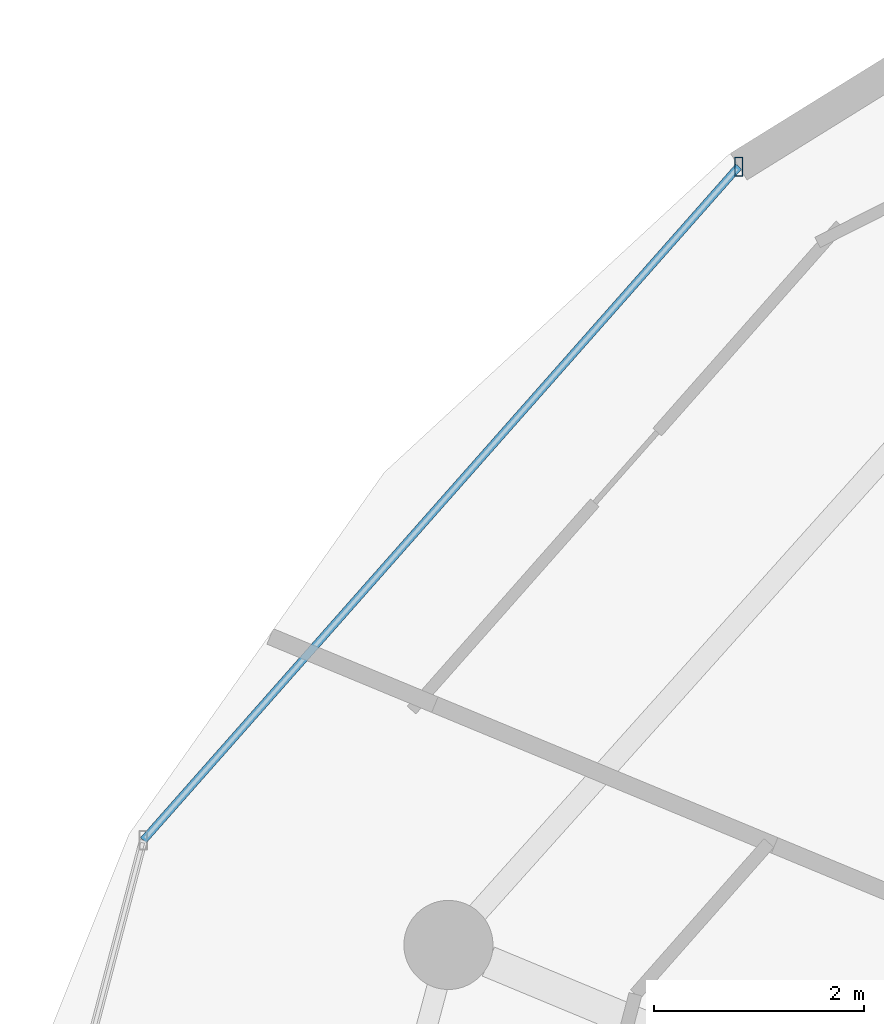
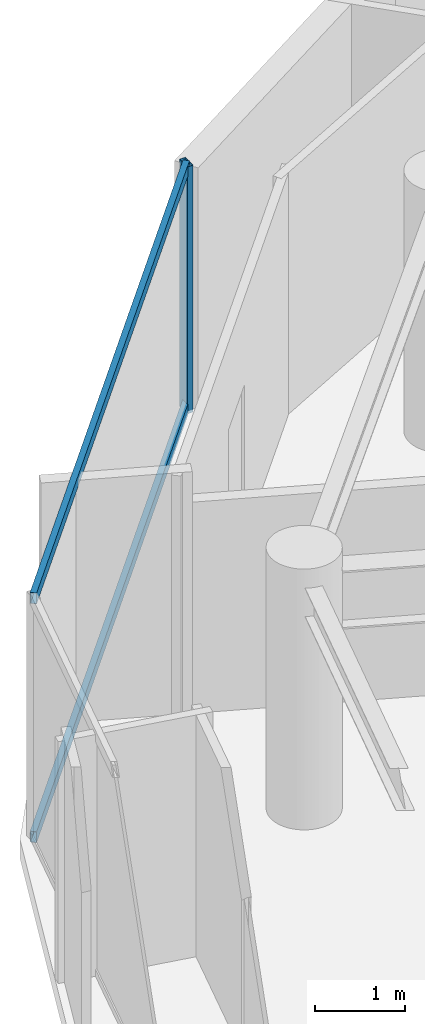
# One storey, part 17 of 32: 3 members, 1 element without a shape of its own.
"""IFC4 building model written with IfcOpenShell, lengths in metres."""

from ifc_helpers import new_model, si_unit, direction, frame, origin, origin_2d, place, context, subcontext, project, spatial, hollow_rectangle, extrude, material, material_profile, profile_set, type_object, element, aggregate, save


model = new_model("IFC4")

# Units and contexts
model_context = context("Model", 3, precision=1e-05, world=origin(), true_north=direction((0.0, 1.0)))
body_context = subcontext(model_context, "Body", "Model", "MODEL_VIEW")
ifc_project = project(units=[si_unit("LENGTHUNIT", "METRE"), si_unit("AREAUNIT", "SQUARE_METRE"), si_unit("VOLUMEUNIT", "CUBIC_METRE"), si_unit("PLANEANGLEUNIT", "RADIAN"), si_unit("MASSUNIT", "GRAM", prefix="KILO")], contexts=[model_context])

# Site, building, storey
site_placement = place(None, origin())
site = spatial("IfcSite", under=ifc_project, at=site_placement, CompositionType="ELEMENT")
building_placement = place(site_placement, origin())
building = spatial("IfcBuilding", under=site, at=building_placement, Name="Vorneva Point Tower", CompositionType="ELEMENT")
storey_placement = place(building_placement, frame((0.0, 0.0, 269.75)))
storey = spatial("IfcBuildingStorey", under=building, at=storey_placement, Name="L73", CompositionType="ELEMENT", Elevation=269.75)

# Curtain wall, members
ifc_material = material(Name="Pale anodised aluminium", Category="aluminium")
curtain_wall_type = type_object("IfcCurtainWallType", Name="CW-RES-SYS", PredefinedType="NOTDEFINED", material=ifc_material)
curtain_wall_placement = place(storey_placement, origin())
curtain_wall = element("IfcCurtainWall", 1, at=curtain_wall_placement, inside=storey, type_object=curtain_wall_type, Name="L73 Unitised Curtain Wall CW-L73-R03", PredefinedType="NOTDEFINED")
ifc_material_profile_1 = material_profile(ifc_material, hollow_rectangle(XDim=0.074951171875, YDim=0.179931640625, WallThickness=0.00390625, at=origin_2d()), Name="AL-MUL 180x75x4")
ifc_profile_set_1 = profile_set([ifc_material_profile_1], Name="Pale anodised aluminium")
member_type_1 = type_object("IfcMemberType", Name="CW-MUL-180", PredefinedType="MULLION", material=ifc_profile_set_1)
member_1_placement = place(storey_placement, frame((19.473876953125, 40.0078125, -0.0400390625), z_axis=(0.0, 0.0, 1.0), x_axis=(1.0, 0.0, 0.0)))
member_1 = element("IfcMember", 2, at=member_1_placement, type_object=member_type_1, Name="CW-L73-R03 Mullion 01", PredefinedType="MULLION", context=body_context, shape_type="SweptSolid", body=[
    extrude(hollow_rectangle(XDim=0.074951171875, YDim=0.179931640625, WallThickness=0.00390625, at=origin_2d()), origin(), (0.0, 0.0, 1.0), 3.360107421875),
])
ifc_material_profile_2 = material_profile(ifc_material, hollow_rectangle(XDim=0.074951171875, YDim=0.14990234375, WallThickness=0.00390625, at=origin_2d()), Name="AL-TRN 150x75x4")
ifc_profile_set_2 = profile_set([ifc_material_profile_2], Name="Pale anodised aluminium")
member_type_2 = type_object("IfcMemberType", Name="CW-TRN-150", PredefinedType="USERDEFINED", material=ifc_profile_set_2)
member_2_placement = place(storey_placement, frame((19.473876953125, 40.0078125, 0.02001953125), z_axis=(-0.662196681357, -0.74933007093, 0.0), x_axis=(0.74933007093, -0.662196681357, 0.0)))
member_2 = element("IfcMember", 3, at=member_2_placement, type_object=member_type_2, Name="CW-L73-R03 Transom 01.1", ObjectType="TRANSOM", PredefinedType="USERDEFINED", context=body_context, shape_type="SweptSolid", body=[
    extrude(hollow_rectangle(XDim=0.074951171875, YDim=0.14990234375, WallThickness=0.00390625, at=origin_2d()), origin(), (0.0, 0.0, 1.0), 8.57666015625),
])
member_3_placement = place(storey_placement, frame((19.473876953125, 40.0078125, 3.27001953125), z_axis=(-0.662196681357, -0.74933007093, 0.0), x_axis=(0.74933007093, -0.662196681357, 0.0)))
member_3 = element("IfcMember", 4, at=member_3_placement, type_object=member_type_2, Name="CW-L73-R03 Transom 01.2", ObjectType="TRANSOM", PredefinedType="USERDEFINED", context=body_context, shape_type="SweptSolid", body=[
    extrude(hollow_rectangle(XDim=0.074951171875, YDim=0.14990234375, WallThickness=0.00390625, at=origin_2d()), origin(), (0.0, 0.0, 1.0), 8.57666015625),
])
aggregate(curtain_wall, [member_1, member_2, member_3])

save(model, "model.ifc")
